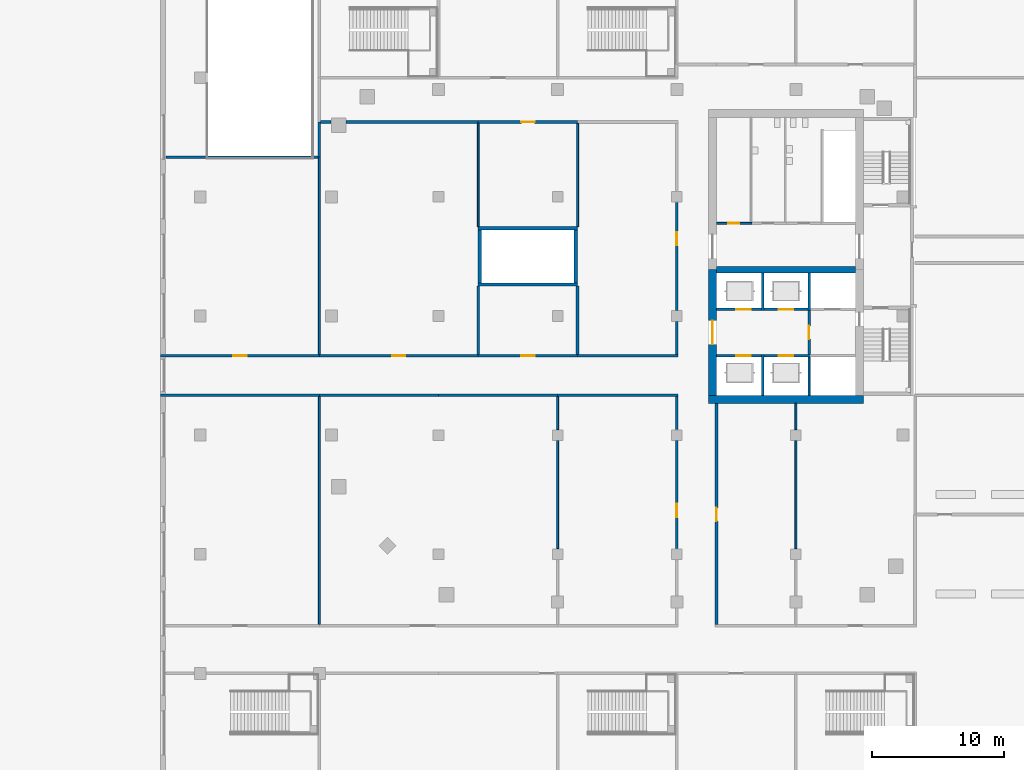
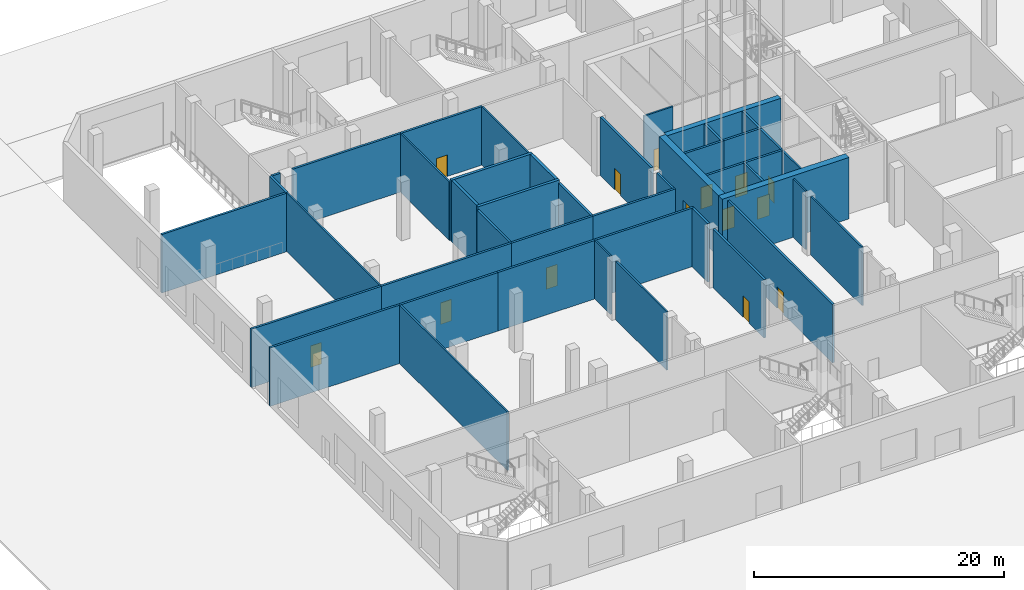
# One storey, part 34 of 55: 45 walls, 14 doors, 14 openings.
"""IFC4 building model written with IfcOpenShell, lengths in metres."""

from ifc_helpers import new_model, si_unit, direction, frame, frame_2d, origin, place, context, subcontext, project, spatial, rectangle, extrude, material, layer, layer_set, type_object, element, fill, save


model = new_model("IFC4")

# Units and contexts
model_context = context("Model", 3, precision=1e-05, world=origin(), true_north=direction((0.0, 1.0)))
body_context = subcontext(model_context, "Body", "Model", "MODEL_VIEW")
ifc_project = project(units=[si_unit("LENGTHUNIT", "METRE"), si_unit("AREAUNIT", "SQUARE_METRE"), si_unit("VOLUMEUNIT", "CUBIC_METRE"), si_unit("PLANEANGLEUNIT", "RADIAN"), si_unit("MASSUNIT", "GRAM", prefix="KILO")], contexts=[model_context])

# Site, building, storey
site_placement = place(None, origin())
site = spatial("IfcSite", under=ifc_project, at=site_placement, CompositionType="ELEMENT")
building_placement = place(site_placement, origin())
building = spatial("IfcBuilding", under=site, at=building_placement, Name="Cinnabar Reach Civic Tower", CompositionType="ELEMENT")
storey_placement = place(building_placement, origin())
storey = spatial("IfcBuildingStorey", under=building, at=storey_placement, Name="L00", CompositionType="ELEMENT", Elevation=0.0)

# Walls
ifc_material_1 = material(Name="Concrete C60", Category="concrete")
ifc_layer_1 = layer(ifc_material_1, 0.5)
ifc_layer_set_1 = layer_set([ifc_layer_1], Name="Core wall 500 EI 180")
wall_type_1 = type_object("IfcWallType", Name="Core wall 500 EI 180", PredefinedType="SOLIDWALL", material=ifc_layer_set_1)
wall_1_placement = place(storey_placement, frame((-42.0, 30.5, 0.0), z_axis=(0.0, 0.0, 1.0), x_axis=(1.0, 0.0, 0.0)))
element("IfcWall", 1, at=wall_1_placement, inside=storey, type_object=wall_type_1, Name="Core spine wall T2 L00", PredefinedType="SOLIDWALL", context=body_context, shape_type="SweptSolid", body=[
    extrude(rectangle(XDim=10.5, YDim=0.5, at=frame_2d((5.25, 0.0))), origin(), (0.0, 0.0, 1.0), 6.0),
])
ifc_material_2 = material(Name="Concrete C70", Category="concrete")
ifc_layer_2 = layer(ifc_material_2, 0.6)
ifc_layer_set_2 = layer_set([ifc_layer_2], Name="Core wall 600 EI 180")
wall_type_2 = type_object("IfcWallType", Name="Core wall 600 EI 180", PredefinedType="SOLIDWALL", material=ifc_layer_set_2)
wall_2_placement = place(storey_placement, frame((-42.6, 20.7, 0.0), z_axis=(0.0, 0.0, 1.0), x_axis=(1.0, 0.0, 0.0)))
element("IfcWall", 2, at=wall_2_placement, inside=storey, type_object=wall_type_2, Name="Core wall T2 L00 S", PredefinedType="SOLIDWALL", context=body_context, shape_type="SweptSolid", body=[
    extrude(rectangle(XDim=11.7, YDim=0.6, at=frame_2d((5.85, 0.0))), origin(), (0.0, 0.0, 1.0), 6.0),
])

# Wall, opening, door
wall_3_placement = place(storey_placement, frame((-42.3, 30.5, 0.0), z_axis=(0.0, 0.0, 1.0), x_axis=(0.0, -1.0, 0.0)))
wall_3 = element("IfcWall", 3, at=wall_3_placement, inside=storey, type_object=wall_type_2, Name="Core wall T2 L00 W2", PredefinedType="SOLIDWALL", context=body_context, shape_type="SweptSolid", body=[
    extrude(rectangle(XDim=9.5, YDim=0.6, at=frame_2d((4.75, 0.0))), origin(), (0.0, 0.0, 1.0), 6.0),
])
opening_1_placement = place(wall_3_placement, frame((3.85, 0.0, 0.0)))
opening_1 = element("IfcOpeningElement", 4, at=opening_1_placement, cuts=wall_3, Name="Opening D6028", PredefinedType="OPENING", context=body_context, shape_type="SweptSolid", body=[
    extrude(rectangle(XDim=1.8, YDim=2.1, at=frame_2d((0.9, 1.05))), frame((0.0, 0.31, 0.0), z_axis=(0.0, -1.0, 0.0), x_axis=(1.0, 0.0, 0.0)), (0.0, 0.0, 1.0), 0.62),
])
ifc_material_3 = material(Name="Steel fire door", Category="steel")
door_type_1 = type_object("IfcDoorType", Name="T2 Double door 1800", OperationType="DOUBLE_DOOR_SINGLE_SWING", PredefinedType="DOOR", material=ifc_material_3)
door_1_placement = place(opening_1_placement, origin())
door_1 = element("IfcDoor", 5, at=door_1_placement, inside=storey, type_object=door_type_1, Name="T2 Double door D6028", OperationType="DOUBLE_DOOR_SINGLE_SWING", OverallHeight=2.1, OverallWidth=1.8, PredefinedType="DOOR", context=body_context, shape_type="SweptSolid", body=[
    extrude(rectangle(XDim=1.8, YDim=2.1, at=frame_2d((0.9, 1.05))), frame((0.0, 0.025, 0.0), z_axis=(0.0, -1.0, 0.0), x_axis=(1.0, 0.0, 0.0)), (0.0, 0.0, 1.0), 0.05),
])
fill(opening_1, door_1)

# Walls
ifc_material_4 = material(Name="Concrete blockwork", Category="masonry")
ifc_layer_3 = layer(ifc_material_4, 0.2)
ifc_layer_set_3 = layer_set([ifc_layer_3], Name="Podium masonry corridor wall 200 EI 120")
wall_type_3 = type_object("IfcWallType", Name="Podium masonry corridor wall 200 EI 120", PredefinedType="PARTITIONING", material=ifc_layer_set_3)
wall_4_placement = place(storey_placement, frame((-83.6, 39.0, 0.0), z_axis=(0.0, 0.0, 1.0), x_axis=(1.0, 0.0, 0.0)))
element("IfcWall", 6, at=wall_4_placement, inside=storey, type_object=wall_type_3, Name="Wall L00 48", PredefinedType="PARTITIONING", context=body_context, shape_type="SweptSolid", body=[
    extrude(rectangle(XDim=11.5, YDim=0.2, at=frame_2d((5.75, 0.0))), origin(), (0.0, 0.0, 1.0), 5.7),
])
wall_5_placement = place(storey_placement, frame((-72.0, 39.0, 0.0), z_axis=(0.0, 0.0, 1.0), x_axis=(0.0, 1.0, 0.0)))
element("IfcWall", 7, at=wall_5_placement, inside=storey, type_object=wall_type_3, Name="Wall L00 49", PredefinedType="PARTITIONING", context=body_context, shape_type="SweptSolid", body=[
    extrude(rectangle(XDim=2.65, YDim=0.2, at=frame_2d((1.325, 0.0))), origin(), (0.0, 0.0, 1.0), 5.7),
])

# Wall, opening, door
wall_6_placement = place(storey_placement, frame((-45.0, 9.42, 0.0), z_axis=(0.0, 0.0, 1.0), x_axis=(0.0, 1.0, 0.0)))
wall_6 = element("IfcWall", 8, at=wall_6_placement, inside=storey, type_object=wall_type_3, Name="Wall L00 103", PredefinedType="PARTITIONING", context=body_context, shape_type="SweptSolid", body=[
    extrude(rectangle(XDim=8.16, YDim=0.2, at=frame_2d((4.08, 0.0))), origin(), (0.0, 0.0, 1.0), 5.7),
])
opening_2_placement = place(wall_6_placement, frame((2.38, 0.0, 0.0)))
opening_2 = element("IfcOpeningElement", 9, at=opening_2_placement, cuts=wall_6, Name="Opening D1014", PredefinedType="OPENING", context=body_context, shape_type="SweptSolid", body=[
    extrude(rectangle(XDim=1.0, YDim=2.1, at=frame_2d((0.5, 1.05))), frame((0.0, 0.11, 0.0), z_axis=(0.0, -1.0, 0.0), x_axis=(1.0, 0.0, 0.0)), (0.0, 0.0, 1.0), 0.22),
])
ifc_material_5 = material(Name="Painted steel door leaf", Category="steel")
door_type_2 = type_object("IfcDoorType", Name="Podium single door 1000x2100", OperationType="SINGLE_SWING_LEFT", PredefinedType="DOOR", material=ifc_material_5)
door_2_placement = place(opening_2_placement, origin())
door_2 = element("IfcDoor", 10, at=door_2_placement, inside=storey, type_object=door_type_2, Name="Door D1014", OperationType="SINGLE_SWING_LEFT", OverallHeight=2.1, OverallWidth=1.0, PredefinedType="DOOR", context=body_context, shape_type="SweptSolid", body=[
    extrude(rectangle(XDim=1.0, YDim=2.1, at=frame_2d((0.5, 1.05))), frame((0.0, 0.025, 0.0), z_axis=(0.0, -1.0, 0.0), x_axis=(1.0, 0.0, 0.0)), (0.0, 0.0, 1.0), 0.05),
])
fill(opening_2, door_2)

# Wall
wall_7_placement = place(storey_placement, frame((-45.0, 18.42, 0.0), z_axis=(0.0, 0.0, 1.0), x_axis=(0.0, 1.0, 0.0)))
element("IfcWall", 11, at=wall_7_placement, inside=storey, type_object=wall_type_3, Name="Wall L00 104", PredefinedType="PARTITIONING", context=body_context, shape_type="SweptSolid", body=[
    extrude(rectangle(XDim=2.48, YDim=0.2, at=frame_2d((1.24, 0.0))), origin(), (0.0, 0.0, 1.0), 5.7),
])

# Wall, opening, door
wall_8_placement = place(storey_placement, frame((-42.0, 3.7, 0.0), z_axis=(0.0, 0.0, 1.0), x_axis=(0.0, 1.0, 0.0)))
wall_8 = element("IfcWall", 12, at=wall_8_placement, inside=storey, type_object=wall_type_3, Name="Wall L00 105", PredefinedType="PARTITIONING", context=body_context, shape_type="SweptSolid", body=[
    extrude(rectangle(XDim=16.7, YDim=0.2, at=frame_2d((8.35, 0.0))), origin(), (0.0, 0.0, 1.0), 5.7),
])
opening_3_placement = place(wall_8_placement, frame((7.8, 0.0, 0.0)))
opening_3 = element("IfcOpeningElement", 13, at=opening_3_placement, cuts=wall_8, Name="Opening D1015", PredefinedType="OPENING", context=body_context, shape_type="SweptSolid", body=[
    extrude(rectangle(XDim=1.0, YDim=2.1, at=frame_2d((0.5, 1.05))), frame((0.0, 0.11, 0.0), z_axis=(0.0, -1.0, 0.0), x_axis=(1.0, 0.0, 0.0)), (0.0, 0.0, 1.0), 0.22),
])
door_3_placement = place(opening_3_placement, frame((1.0, 0.0, 0.0), z_axis=(0.0, 0.0, 1.0), x_axis=(-1.0, 0.0, 0.0)))
door_3 = element("IfcDoor", 14, at=door_3_placement, inside=storey, type_object=door_type_2, Name="Door D1015", OperationType="SINGLE_SWING_LEFT", OverallHeight=2.1, OverallWidth=1.0, PredefinedType="DOOR", context=body_context, shape_type="SweptSolid", body=[
    extrude(rectangle(XDim=1.0, YDim=2.1, at=frame_2d((0.5, 1.05))), frame((0.0, 0.025, 0.0), z_axis=(0.0, -1.0, 0.0), x_axis=(1.0, 0.0, 0.0)), (0.0, 0.0, 1.0), 0.05),
])
fill(opening_3, door_3)

# Wall
wall_9_placement = place(storey_placement, frame((-45.0, 24.1, 0.0), z_axis=(0.0, 0.0, 1.0), x_axis=(0.0, 1.0, 0.0)))
element("IfcWall", 15, at=wall_9_placement, inside=storey, type_object=wall_type_3, Name="Wall L00 106", PredefinedType="PARTITIONING", context=body_context, shape_type="SweptSolid", body=[
    extrude(rectangle(XDim=2.48, YDim=0.2, at=frame_2d((1.24, 0.0))), origin(), (0.0, 0.0, 1.0), 5.7),
])

# Wall, opening, door
wall_10_placement = place(storey_placement, frame((-45.0, 27.42, 0.0), z_axis=(0.0, 0.0, 1.0), x_axis=(0.0, 1.0, 0.0)))
wall_10 = element("IfcWall", 16, at=wall_10_placement, inside=storey, type_object=wall_type_3, Name="Wall L00 107", PredefinedType="PARTITIONING", context=body_context, shape_type="SweptSolid", body=[
    extrude(rectangle(XDim=8.16, YDim=0.2, at=frame_2d((4.08, 0.0))), origin(), (0.0, 0.0, 1.0), 5.7),
])
opening_4_placement = place(wall_10_placement, frame((4.905, 0.0, 0.0)))
opening_4 = element("IfcOpeningElement", 17, at=opening_4_placement, cuts=wall_10, Name="Opening D1030", PredefinedType="OPENING", context=body_context, shape_type="SweptSolid", body=[
    extrude(rectangle(XDim=1.0, YDim=2.1, at=frame_2d((0.5, 1.05))), frame((0.0, 0.11, 0.0), z_axis=(0.0, -1.0, 0.0), x_axis=(1.0, 0.0, 0.0)), (0.0, 0.0, 1.0), 0.22),
])
door_4_placement = place(opening_4_placement, origin())
door_4 = element("IfcDoor", 18, at=door_4_placement, inside=storey, type_object=door_type_2, Name="Door D1030", OperationType="SINGLE_SWING_LEFT", OverallHeight=2.1, OverallWidth=1.0, PredefinedType="DOOR", context=body_context, shape_type="SweptSolid", body=[
    extrude(rectangle(XDim=1.0, YDim=2.1, at=frame_2d((0.5, 1.05))), frame((0.0, 0.025, 0.0), z_axis=(0.0, -1.0, 0.0), x_axis=(1.0, 0.0, 0.0)), (0.0, 0.0, 1.0), 0.05),
])
fill(opening_4, door_4)

# Walls
wall_11_placement = place(storey_placement, frame((-84.0, 21.0, 0.0), z_axis=(0.0, 0.0, 1.0), x_axis=(1.0, 0.0, 0.0)))
element("IfcWall", 19, at=wall_11_placement, inside=storey, type_object=wall_type_3, Name="Wall L00 109", PredefinedType="PARTITIONING", context=body_context, shape_type="SweptSolid", body=[
    extrude(rectangle(XDim=12.0, YDim=0.2, at=frame_2d((6.0, 0.0))), origin(), (0.0, 0.0, 1.0), 5.7),
])
for number, where, z_axis, x_axis, name in (
    (20, (-63.0, 21.0, 0.0), (0.0, 0.0, 1.0), (1.0, 0.0, 0.0), "Wall L00 110"),
    (21, (-72.0, 21.0, 0.0), (0.0, 0.0, 1.0), (1.0, 0.0, 0.0), "Wall L00 111"),
):
    element("IfcWall", number, at=place(storey_placement, frame(where, z_axis=z_axis, x_axis=x_axis)), inside=storey, type_object=wall_type_3, Name=name, PredefinedType="PARTITIONING", context=body_context, shape_type="SweptSolid", body=[
        extrude(rectangle(XDim=9.0, YDim=0.2, at=frame_2d((4.5, 0.0))), origin(), (0.0, 0.0, 1.0), 5.7),
    ])
wall_12_placement = place(storey_placement, frame((-54.0, 21.0, 0.0), z_axis=(0.0, 0.0, 1.0), x_axis=(1.0, 0.0, 0.0)))
element("IfcWall", 22, at=wall_12_placement, inside=storey, type_object=wall_type_3, Name="Wall L00 112", PredefinedType="PARTITIONING", context=body_context, shape_type="SweptSolid", body=[
    extrude(rectangle(XDim=9.1, YDim=0.2, at=frame_2d((4.55, 0.0))), origin(), (0.0, 0.0, 1.0), 5.7),
])

# Wall, opening, door
wall_13_placement = place(storey_placement, frame((-84.0, 24.0, 0.0), z_axis=(0.0, 0.0, 1.0), x_axis=(1.0, 0.0, 0.0)))
wall_13 = element("IfcWall", 23, at=wall_13_placement, inside=storey, type_object=wall_type_3, Name="Wall L00 113", PredefinedType="PARTITIONING", context=body_context, shape_type="SweptSolid", body=[
    extrude(rectangle(XDim=12.0, YDim=0.2, at=frame_2d((6.0, 0.0))), origin(), (0.0, 0.0, 1.0), 5.7),
])
opening_5_placement = place(wall_13_placement, frame((5.5, 0.0, 0.0)))
opening_5 = element("IfcOpeningElement", 24, at=opening_5_placement, cuts=wall_13, Name="Opening D1026", PredefinedType="OPENING", context=body_context, shape_type="SweptSolid", body=[
    extrude(rectangle(XDim=1.0, YDim=2.1, at=frame_2d((0.5, 1.05))), frame((0.0, 0.11, 0.0), z_axis=(0.0, -1.0, 0.0), x_axis=(1.0, 0.0, 0.0)), (0.0, 0.0, 1.0), 0.22),
])
door_5_placement = place(opening_5_placement, origin())
door_5 = element("IfcDoor", 25, at=door_5_placement, inside=storey, type_object=door_type_2, Name="Door D1026", OperationType="SINGLE_SWING_LEFT", OverallHeight=2.1, OverallWidth=1.0, PredefinedType="DOOR", context=body_context, shape_type="SweptSolid", body=[
    extrude(rectangle(XDim=1.0, YDim=2.1, at=frame_2d((0.5, 1.05))), frame((0.0, 0.025, 0.0), z_axis=(0.0, -1.0, 0.0), x_axis=(1.0, 0.0, 0.0)), (0.0, 0.0, 1.0), 0.05),
])
fill(opening_5, door_5)

wall_14_placement = place(storey_placement, frame((-72.0, 24.0, 0.0), z_axis=(0.0, 0.0, 1.0), x_axis=(1.0, 0.0, 0.0)))
wall_14 = element("IfcWall", 26, at=wall_14_placement, inside=storey, type_object=wall_type_3, Name="Wall L00 114", PredefinedType="PARTITIONING", context=body_context, shape_type="SweptSolid", body=[
    extrude(rectangle(XDim=12.0, YDim=0.2, at=frame_2d((6.0, 0.0))), origin(), (0.0, 0.0, 1.0), 5.7),
])
opening_6_placement = place(wall_14_placement, frame((5.5, 0.0, 0.0)))
opening_6 = element("IfcOpeningElement", 27, at=opening_6_placement, cuts=wall_14, Name="Opening D1027", PredefinedType="OPENING", context=body_context, shape_type="SweptSolid", body=[
    extrude(rectangle(XDim=1.0, YDim=2.1, at=frame_2d((0.5, 1.05))), frame((0.0, 0.11, 0.0), z_axis=(0.0, -1.0, 0.0), x_axis=(1.0, 0.0, 0.0)), (0.0, 0.0, 1.0), 0.22),
])
door_6_placement = place(opening_6_placement, origin())
door_6 = element("IfcDoor", 28, at=door_6_placement, inside=storey, type_object=door_type_2, Name="Door D1027", OperationType="SINGLE_SWING_LEFT", OverallHeight=2.1, OverallWidth=1.0, PredefinedType="DOOR", context=body_context, shape_type="SweptSolid", body=[
    extrude(rectangle(XDim=1.0, YDim=2.1, at=frame_2d((0.5, 1.05))), frame((0.0, 0.025, 0.0), z_axis=(0.0, -1.0, 0.0), x_axis=(1.0, 0.0, 0.0)), (0.0, 0.0, 1.0), 0.05),
])
fill(opening_6, door_6)

wall_15_placement = place(storey_placement, frame((-60.0, 24.0, 0.0), z_axis=(0.0, 0.0, 1.0), x_axis=(1.0, 0.0, 0.0)))
wall_15 = element("IfcWall", 29, at=wall_15_placement, inside=storey, type_object=wall_type_3, Name="Wall L00 115", PredefinedType="PARTITIONING", context=body_context, shape_type="SweptSolid", body=[
    extrude(rectangle(XDim=7.5, YDim=0.2, at=frame_2d((3.75, 0.0))), origin(), (0.0, 0.0, 1.0), 5.7),
])
opening_7_placement = place(wall_15_placement, frame((3.25, 0.0, 0.0)))
opening_7 = element("IfcOpeningElement", 30, at=opening_7_placement, cuts=wall_15, Name="Opening D1028", PredefinedType="OPENING", context=body_context, shape_type="SweptSolid", body=[
    extrude(rectangle(XDim=1.0, YDim=2.1, at=frame_2d((0.5, 1.05))), frame((0.0, 0.11, 0.0), z_axis=(0.0, -1.0, 0.0), x_axis=(1.0, 0.0, 0.0)), (0.0, 0.0, 1.0), 0.22),
])
door_7_placement = place(opening_7_placement, origin())
door_7 = element("IfcDoor", 31, at=door_7_placement, inside=storey, type_object=door_type_2, Name="Door D1028", OperationType="SINGLE_SWING_LEFT", OverallHeight=2.1, OverallWidth=1.0, PredefinedType="DOOR", context=body_context, shape_type="SweptSolid", body=[
    extrude(rectangle(XDim=1.0, YDim=2.1, at=frame_2d((0.5, 1.05))), frame((0.0, 0.025, 0.0), z_axis=(0.0, -1.0, 0.0), x_axis=(1.0, 0.0, 0.0)), (0.0, 0.0, 1.0), 0.05),
])
fill(opening_7, door_7)

# Walls
wall_16_placement = place(storey_placement, frame((-52.5, 24.0, 0.0), z_axis=(0.0, 0.0, 1.0), x_axis=(1.0, 0.0, 0.0)))
element("IfcWall", 32, at=wall_16_placement, inside=storey, type_object=wall_type_3, Name="Wall L00 116", PredefinedType="PARTITIONING", context=body_context, shape_type="SweptSolid", body=[
    extrude(rectangle(XDim=7.6, YDim=0.2, at=frame_2d((3.8, 0.0))), origin(), (0.0, 0.0, 1.0), 5.7),
])
wall_17_placement = place(storey_placement, frame((-71.9, 41.65, 0.0), z_axis=(0.0, 0.0, 1.0), x_axis=(1.0, 0.0, 0.0)))
element("IfcWall", 33, at=wall_17_placement, inside=storey, type_object=wall_type_3, Name="Wall L00 117", PredefinedType="PARTITIONING", context=body_context, shape_type="SweptSolid", body=[
    extrude(rectangle(XDim=0.7831, YDim=0.2, at=frame_2d((0.3916, 0.0))), origin(), (0.0, 0.0, 1.0), 5.7),
])
wall_18_placement = place(storey_placement, frame((-69.9769, 41.65, 0.0), z_axis=(0.0, 0.0, 1.0), x_axis=(1.0, 0.0, 0.0)))
element("IfcWall", 34, at=wall_18_placement, inside=storey, type_object=wall_type_3, Name="Wall L00 118", PredefinedType="PARTITIONING", context=body_context, shape_type="SweptSolid", body=[
    extrude(rectangle(XDim=9.9769, YDim=0.2, at=frame_2d((4.9885, 0.0))), origin(), (0.0, 0.0, 1.0), 5.7),
])

# Wall, opening, door
wall_19_placement = place(storey_placement, frame((-60.0, 41.65, 0.0), z_axis=(0.0, 0.0, 1.0), x_axis=(1.0, 0.0, 0.0)))
wall_19 = element("IfcWall", 35, at=wall_19_placement, inside=storey, type_object=wall_type_3, Name="Wall L00 119", PredefinedType="PARTITIONING", context=body_context, shape_type="SweptSolid", body=[
    extrude(rectangle(XDim=7.5, YDim=0.2, at=frame_2d((3.75, 0.0))), origin(), (0.0, 0.0, 1.0), 5.7),
])
opening_8_placement = place(wall_19_placement, frame((3.25, 0.0, 0.0)))
opening_8 = element("IfcOpeningElement", 36, at=opening_8_placement, cuts=wall_19, Name="Opening D1029", PredefinedType="OPENING", context=body_context, shape_type="SweptSolid", body=[
    extrude(rectangle(XDim=1.0, YDim=2.1, at=frame_2d((0.5, 1.05))), frame((0.0, 0.11, 0.0), z_axis=(0.0, -1.0, 0.0), x_axis=(1.0, 0.0, 0.0)), (0.0, 0.0, 1.0), 0.22),
])
door_8_placement = place(opening_8_placement, frame((1.0, 0.0, 0.0), z_axis=(0.0, 0.0, 1.0), x_axis=(-1.0, 0.0, 0.0)))
door_8 = element("IfcDoor", 37, at=door_8_placement, inside=storey, type_object=door_type_2, Name="Door D1029", OperationType="SINGLE_SWING_LEFT", OverallHeight=2.1, OverallWidth=1.0, PredefinedType="DOOR", context=body_context, shape_type="SweptSolid", body=[
    extrude(rectangle(XDim=1.0, YDim=2.1, at=frame_2d((0.5, 1.05))), frame((0.0, 0.025, 0.0), z_axis=(0.0, -1.0, 0.0), x_axis=(1.0, 0.0, 0.0)), (0.0, 0.0, 1.0), 0.05),
])
fill(opening_8, door_8)

# Walls
for number, where, z_axis, x_axis, name in (
    (38, (-60.0, 24.1, 0.0), (0.0, 0.0, 1.0), (0.0, 1.0, 0.0), "Wall L00 184"),
    (39, (-52.5, 24.1, 0.0), (0.0, 0.0, 1.0), (0.0, 1.0, 0.0), "Wall L00 186"),
):
    element("IfcWall", number, at=place(storey_placement, frame(where, z_axis=z_axis, x_axis=x_axis)), inside=storey, type_object=wall_type_3, Name=name, PredefinedType="PARTITIONING", context=body_context, shape_type="SweptSolid", body=[
        extrude(rectangle(XDim=5.15, YDim=0.2, at=frame_2d((2.575, 0.0))), origin(), (0.0, 0.0, 1.0), 5.7),
    ])
ifc_material_6 = material(Name="Gypsum board on steel studs", Category="steel")
ifc_layer_4 = layer(ifc_material_6, 0.15)
ifc_layer_set_4 = layer_set([ifc_layer_4], Name="Podium partition wall 150 EI 90")
wall_type_4 = type_object("IfcWallType", Name="Podium partition wall 150 EI 90", PredefinedType="PARTITIONING", material=ifc_layer_set_4)
wall_20_placement = place(storey_placement, frame((-72.0, 3.7, 0.0), z_axis=(0.0, 0.0, 1.0), x_axis=(0.0, 1.0, 0.0)))
element("IfcWall", 40, at=wall_20_placement, inside=storey, type_object=wall_type_4, Name="Wall L00 155", PredefinedType="PARTITIONING", context=body_context, shape_type="SweptSolid", body=[
    extrude(rectangle(XDim=17.2, YDim=0.15, at=frame_2d((8.6, 0.0))), origin(), (0.0, 0.0, 1.0), 5.7),
])
wall_21_placement = place(storey_placement, frame((-54.0, 9.42, 0.0), z_axis=(0.0, 0.0, 1.0), x_axis=(0.0, 1.0, 0.0)))
element("IfcWall", 41, at=wall_21_placement, inside=storey, type_object=wall_type_4, Name="Wall L00 158", PredefinedType="PARTITIONING", context=body_context, shape_type="SweptSolid", body=[
    extrude(rectangle(XDim=8.16, YDim=0.15, at=frame_2d((4.08, 0.0))), origin(), (0.0, 0.0, 1.0), 5.7),
])
wall_22_placement = place(storey_placement, frame((-54.0, 18.42, 0.0), z_axis=(0.0, 0.0, 1.0), x_axis=(0.0, 1.0, 0.0)))
element("IfcWall", 42, at=wall_22_placement, inside=storey, type_object=wall_type_4, Name="Wall L00 159", PredefinedType="PARTITIONING", context=body_context, shape_type="SweptSolid", body=[
    extrude(rectangle(XDim=2.48, YDim=0.15, at=frame_2d((1.24, 0.0))), origin(), (0.0, 0.0, 1.0), 5.7),
])
wall_23_placement = place(storey_placement, frame((-36.0, 9.42, 0.0), z_axis=(0.0, 0.0, 1.0), x_axis=(0.0, 1.0, 0.0)))
element("IfcWall", 43, at=wall_23_placement, inside=storey, type_object=wall_type_4, Name="Wall L00 162", PredefinedType="PARTITIONING", context=body_context, shape_type="SweptSolid", body=[
    extrude(rectangle(XDim=8.16, YDim=0.15, at=frame_2d((4.08, 0.0))), origin(), (0.0, 0.0, 1.0), 5.7),
])
wall_24_placement = place(storey_placement, frame((-36.0, 18.42, 0.0), z_axis=(0.0, 0.0, 1.0), x_axis=(0.0, 1.0, 0.0)))
element("IfcWall", 44, at=wall_24_placement, inside=storey, type_object=wall_type_4, Name="Wall L00 163", PredefinedType="PARTITIONING", context=body_context, shape_type="SweptSolid", body=[
    extrude(rectangle(XDim=1.98, YDim=0.15, at=frame_2d((0.99, 0.0))), origin(), (0.0, 0.0, 1.0), 5.7),
])
wall_25_placement = place(storey_placement, frame((-72.0, 24.1, 0.0), z_axis=(0.0, 0.0, 1.0), x_axis=(0.0, 1.0, 0.0)))
element("IfcWall", 45, at=wall_25_placement, inside=storey, type_object=wall_type_4, Name="Wall L00 183", PredefinedType="PARTITIONING", context=body_context, shape_type="SweptSolid", body=[
    extrude(rectangle(XDim=14.9, YDim=0.15, at=frame_2d((7.45, 0.0))), origin(), (0.0, 0.0, 1.0), 5.7),
])
for number, where, z_axis, x_axis, name in (
    (46, (-60.0, 33.75, 0.0), (0.0, 0.0, 1.0), (0.0, 1.0, 0.0), "Wall L00 185"),
    (47, (-52.5, 33.75, 0.0), (0.0, 0.0, 1.0), (0.0, 1.0, 0.0), "Wall L00 187"),
):
    element("IfcWall", number, at=place(storey_placement, frame(where, z_axis=z_axis, x_axis=x_axis)), inside=storey, type_object=wall_type_4, Name=name, PredefinedType="PARTITIONING", context=body_context, shape_type="SweptSolid", body=[
        extrude(rectangle(XDim=7.8, YDim=0.15, at=frame_2d((3.9, 0.0))), origin(), (0.0, 0.0, 1.0), 5.7),
    ])
ifc_layer_5 = layer(ifc_material_1, 0.25)
ifc_layer_set_5 = layer_set([ifc_layer_5], Name="Stair shaft wall 250 EI 120")
wall_type_5 = type_object("IfcWallType", Name="Stair shaft wall 250 EI 120", PredefinedType="SOLIDWALL", material=ifc_layer_set_5)
for number, where, z_axis, x_axis, name in (
    (48, (-60.0, 29.375, 0.0), (0.0, 0.0, 1.0), (1.0, 0.0, 0.0), "Stair shaft wall T2-S3 L00"),
    (49, (-52.5, 33.625, 0.0), (0.0, 0.0, 1.0), (-1.0, 0.0, 0.0), "Stair shaft wall T2-S3 L00"),
):
    element("IfcWall", number, at=place(storey_placement, frame(where, z_axis=z_axis, x_axis=x_axis)), inside=storey, type_object=wall_type_5, Name=name, PredefinedType="SOLIDWALL", context=body_context, shape_type="SweptSolid", body=[
        extrude(rectangle(XDim=7.5, YDim=0.25, at=frame_2d((3.75, 0.0))), origin(), (0.0, 0.0, 1.0), 6.0),
    ])
for number, where, z_axis, x_axis, name in (
    (50, (-52.625, 29.5, 0.0), (0.0, 0.0, 1.0), (0.0, 1.0, 0.0), "Stair shaft wall T2-S3 L00"),
    (51, (-59.875, 33.5, 0.0), (0.0, 0.0, 1.0), (0.0, -1.0, 0.0), "Stair shaft wall T2-S3 L00"),
):
    element("IfcWall", number, at=place(storey_placement, frame(where, z_axis=z_axis, x_axis=x_axis)), inside=storey, type_object=wall_type_5, Name=name, PredefinedType="SOLIDWALL", context=body_context, shape_type="SweptSolid", body=[
        extrude(rectangle(XDim=4.0, YDim=0.25, at=frame_2d((2.0, 0.0))), origin(), (0.0, 0.0, 1.0), 6.0),
    ])

# Wall, opening, door
ifc_material_7 = material(Name="Masonry block partition", Category="masonry")
ifc_layer_6 = layer(ifc_material_7, 0.15)
ifc_layer_set_6 = layer_set([ifc_layer_6], Name="T2 Corridor wall 150")
wall_type_6 = type_object("IfcWallType", Name="T2 Corridor wall 150", PredefinedType="PARTITIONING", material=ifc_layer_set_6)
wall_26_placement = place(storey_placement, frame((-39.325, 34.0, 0.0), z_axis=(0.0, 0.0, 1.0), x_axis=(-1.0, 0.0, 0.0)))
wall_26 = element("IfcWall", 52, at=wall_26_placement, inside=storey, type_object=wall_type_6, Name="T2 Corridor wall L00 016", PredefinedType="PARTITIONING", context=body_context, shape_type="SweptSolid", body=[
    extrude(rectangle(XDim=2.675, YDim=0.15, at=frame_2d((1.3375, 0.0))), origin(), (0.0, 0.0, 1.0), 5.7),
])
opening_9_placement = place(wall_26_placement, frame((0.975, 0.0, 0.0)))
opening_9 = element("IfcOpeningElement", 53, at=opening_9_placement, cuts=wall_26, Name="Opening D6030", PredefinedType="OPENING", context=body_context, shape_type="SweptSolid", body=[
    extrude(rectangle(XDim=0.8, YDim=2.1, at=frame_2d((0.4, 1.05))), frame((0.0, 0.085, 0.0), z_axis=(0.0, -1.0, 0.0), x_axis=(1.0, 0.0, 0.0)), (0.0, 0.0, 1.0), 0.17),
])
ifc_material_8 = material(Name="Timber door leaf", Category="wood")
door_type_3 = type_object("IfcDoorType", Name="T2 Bathroom door 800", OperationType="SINGLE_SWING_LEFT", PredefinedType="DOOR", material=ifc_material_8)
door_9_placement = place(opening_9_placement, frame((0.8, 0.0, 0.0), z_axis=(0.0, 0.0, 1.0), x_axis=(-1.0, 0.0, 0.0)))
door_9 = element("IfcDoor", 54, at=door_9_placement, inside=storey, type_object=door_type_3, Name="T2 Bathroom door D6030", OperationType="SINGLE_SWING_RIGHT", OverallHeight=2.1, OverallWidth=0.8, PredefinedType="DOOR", context=body_context, shape_type="SweptSolid", body=[
    extrude(rectangle(XDim=0.8, YDim=2.1, at=frame_2d((0.4, 1.05))), frame((0.0, 0.025, 0.0), z_axis=(0.0, -1.0, 0.0), x_axis=(1.0, 0.0, 0.0)), (0.0, 0.0, 1.0), 0.05),
])
fill(opening_9, door_9)

# Walls
ifc_material_9 = material(Name="Concrete C40", Category="concrete")
ifc_layer_7 = layer(ifc_material_9, 0.15)
ifc_layer_set_7 = layer_set([ifc_layer_7], Name="T2 Riser wall 150")
wall_type_7 = type_object("IfcWallType", Name="T2 Riser wall 150", PredefinedType="SOLIDWALL", material=ifc_layer_set_7)
wall_27_placement = place(storey_placement, frame((-35.0, 21.0, 0.0), z_axis=(0.0, 0.0, 1.0), x_axis=(0.0, 1.0, 0.0)))
element("IfcWall", 55, at=wall_27_placement, inside=storey, type_object=wall_type_7, Name="T2 Riser wall L00 012", PredefinedType="SOLIDWALL", context=body_context, shape_type="SweptSolid", body=[
    extrude(rectangle(XDim=2.9, YDim=0.15, at=frame_2d((1.45, 0.0))), origin(), (0.0, 0.0, 1.0), 6.0),
])
ifc_layer_8 = layer(ifc_material_9, 0.2)
ifc_layer_set_8 = layer_set([ifc_layer_8], Name="T2 Shaft wall 200")
wall_type_8 = type_object("IfcWallType", Name="T2 Shaft wall 200", PredefinedType="SOLIDWALL", material=ifc_layer_set_8)
wall_28_placement = place(storey_placement, frame((-38.5, 21.0, 0.0), z_axis=(0.0, 0.0, 1.0), x_axis=(0.0, 1.0, 0.0)))
element("IfcWall", 56, at=wall_28_placement, inside=storey, type_object=wall_type_8, Name="T2 Shaft wall L00 001", PredefinedType="SOLIDWALL", context=body_context, shape_type="SweptSolid", body=[
    extrude(rectangle(XDim=3.1, YDim=0.2, at=frame_2d((1.55, 0.0))), origin(), (0.0, 0.0, 1.0), 6.0),
])

# Wall, opening, door
wall_29_placement = place(storey_placement, frame((-38.6, 24.0, 0.0), z_axis=(0.0, 0.0, 1.0), x_axis=(-1.0, 0.0, 0.0)))
wall_29 = element("IfcWall", 57, at=wall_29_placement, inside=storey, type_object=wall_type_8, Name="T2 Shaft wall L00 002", PredefinedType="SOLIDWALL", context=body_context, shape_type="SweptSolid", body=[
    extrude(rectangle(XDim=3.4, YDim=0.2, at=frame_2d((1.7, 0.0))), origin(), (0.0, 0.0, 1.0), 6.0),
])
opening_10_placement = place(wall_29_placement, frame((0.8, 0.0, 0.0)))
opening_10 = element("IfcOpeningElement", 58, at=opening_10_placement, cuts=wall_29, Name="Opening D6018", PredefinedType="OPENING", context=body_context, shape_type="SweptSolid", body=[
    extrude(rectangle(XDim=1.1, YDim=2.1, at=frame_2d((0.55, 1.05))), frame((0.0, 0.11, 0.0), z_axis=(0.0, -1.0, 0.0), x_axis=(1.0, 0.0, 0.0)), (0.0, 0.0, 1.0), 0.22),
])
door_type_4 = type_object("IfcDoorType", Name="T2 Lift landing door 1100", OperationType="SLIDING_TO_LEFT", PredefinedType="DOOR", material=ifc_material_3)
door_10_placement = place(opening_10_placement, origin())
door_10 = element("IfcDoor", 59, at=door_10_placement, inside=storey, type_object=door_type_4, Name="T2 Lift landing door D6018", OperationType="SLIDING_TO_LEFT", OverallHeight=2.1, OverallWidth=1.1, PredefinedType="DOOR", context=body_context, shape_type="SweptSolid", body=[
    extrude(rectangle(XDim=1.1, YDim=2.1, at=frame_2d((0.55, 1.05))), frame((0.0, 0.025, 0.0), z_axis=(0.0, -1.0, 0.0), x_axis=(1.0, 0.0, 0.0)), (0.0, 0.0, 1.0), 0.05),
])
fill(opening_10, door_10)

wall_30_placement = place(storey_placement, frame((-34.9, 24.0, 0.0), z_axis=(0.0, 0.0, 1.0), x_axis=(-1.0, 0.0, 0.0)))
wall_30 = element("IfcWall", 60, at=wall_30_placement, inside=storey, type_object=wall_type_8, Name="T2 Shaft wall L00 003", PredefinedType="SOLIDWALL", context=body_context, shape_type="SweptSolid", body=[
    extrude(rectangle(XDim=3.5, YDim=0.2, at=frame_2d((1.75, 0.0))), origin(), (0.0, 0.0, 1.0), 6.0),
])
opening_11_placement = place(wall_30_placement, frame((1.3, 0.0, 0.0)))
opening_11 = element("IfcOpeningElement", 61, at=opening_11_placement, cuts=wall_30, Name="Opening D6019", PredefinedType="OPENING", context=body_context, shape_type="SweptSolid", body=[
    extrude(rectangle(XDim=1.1, YDim=2.1, at=frame_2d((0.55, 1.05))), frame((0.0, 0.11, 0.0), z_axis=(0.0, -1.0, 0.0), x_axis=(1.0, 0.0, 0.0)), (0.0, 0.0, 1.0), 0.22),
])
door_11_placement = place(opening_11_placement, origin())
door_11 = element("IfcDoor", 62, at=door_11_placement, inside=storey, type_object=door_type_4, Name="T2 Lift landing door D6019", OperationType="SLIDING_TO_LEFT", OverallHeight=2.1, OverallWidth=1.1, PredefinedType="DOOR", context=body_context, shape_type="SweptSolid", body=[
    extrude(rectangle(XDim=1.1, YDim=2.1, at=frame_2d((0.55, 1.05))), frame((0.0, 0.025, 0.0), z_axis=(0.0, -1.0, 0.0), x_axis=(1.0, 0.0, 0.0)), (0.0, 0.0, 1.0), 0.05),
])
fill(opening_11, door_11)

# Wall
wall_31_placement = place(storey_placement, frame((-38.5, 27.4, 0.0), z_axis=(0.0, 0.0, 1.0), x_axis=(0.0, 1.0, 0.0)))
element("IfcWall", 63, at=wall_31_placement, inside=storey, type_object=wall_type_8, Name="T2 Shaft wall L00 004", PredefinedType="SOLIDWALL", context=body_context, shape_type="SweptSolid", body=[
    extrude(rectangle(XDim=2.85, YDim=0.2, at=frame_2d((1.425, 0.0))), origin(), (0.0, 0.0, 1.0), 6.0),
])

# Wall, opening, door
wall_32_placement = place(storey_placement, frame((-42.0, 27.5, 0.0), z_axis=(0.0, 0.0, 1.0), x_axis=(1.0, 0.0, 0.0)))
wall_32 = element("IfcWall", 64, at=wall_32_placement, inside=storey, type_object=wall_type_8, Name="T2 Shaft wall L00 005", PredefinedType="SOLIDWALL", context=body_context, shape_type="SweptSolid", body=[
    extrude(rectangle(XDim=3.4, YDim=0.2, at=frame_2d((1.7, 0.0))), origin(), (0.0, 0.0, 1.0), 6.0),
])
opening_12_placement = place(wall_32_placement, frame((1.5, 0.0, 0.0)))
opening_12 = element("IfcOpeningElement", 65, at=opening_12_placement, cuts=wall_32, Name="Opening D6020", PredefinedType="OPENING", context=body_context, shape_type="SweptSolid", body=[
    extrude(rectangle(XDim=1.1, YDim=2.1, at=frame_2d((0.55, 1.05))), frame((0.0, 0.11, 0.0), z_axis=(0.0, -1.0, 0.0), x_axis=(1.0, 0.0, 0.0)), (0.0, 0.0, 1.0), 0.22),
])
door_12_placement = place(opening_12_placement, origin())
door_12 = element("IfcDoor", 66, at=door_12_placement, inside=storey, type_object=door_type_4, Name="T2 Lift landing door D6020", OperationType="SLIDING_TO_LEFT", OverallHeight=2.1, OverallWidth=1.1, PredefinedType="DOOR", context=body_context, shape_type="SweptSolid", body=[
    extrude(rectangle(XDim=1.1, YDim=2.1, at=frame_2d((0.55, 1.05))), frame((0.0, 0.025, 0.0), z_axis=(0.0, -1.0, 0.0), x_axis=(1.0, 0.0, 0.0)), (0.0, 0.0, 1.0), 0.05),
])
fill(opening_12, door_12)

# Wall
wall_33_placement = place(storey_placement, frame((-35.0, 27.4, 0.0), z_axis=(0.0, 0.0, 1.0), x_axis=(0.0, 1.0, 0.0)))
element("IfcWall", 67, at=wall_33_placement, inside=storey, type_object=wall_type_8, Name="T2 Shaft wall L00 006", PredefinedType="SOLIDWALL", context=body_context, shape_type="SweptSolid", body=[
    extrude(rectangle(XDim=2.85, YDim=0.2, at=frame_2d((1.425, 0.0))), origin(), (0.0, 0.0, 1.0), 6.0),
])

# Wall, opening, door
wall_34_placement = place(storey_placement, frame((-38.4, 27.5, 0.0), z_axis=(0.0, 0.0, 1.0), x_axis=(1.0, 0.0, 0.0)))
wall_34 = element("IfcWall", 68, at=wall_34_placement, inside=storey, type_object=wall_type_8, Name="T2 Shaft wall L00 007", PredefinedType="SOLIDWALL", context=body_context, shape_type="SweptSolid", body=[
    extrude(rectangle(XDim=3.3, YDim=0.2, at=frame_2d((1.65, 0.0))), origin(), (0.0, 0.0, 1.0), 6.0),
])
opening_13_placement = place(wall_34_placement, frame((1.1, 0.0, 0.0)))
opening_13 = element("IfcOpeningElement", 69, at=opening_13_placement, cuts=wall_34, Name="Opening D6021", PredefinedType="OPENING", context=body_context, shape_type="SweptSolid", body=[
    extrude(rectangle(XDim=1.1, YDim=2.1, at=frame_2d((0.55, 1.05))), frame((0.0, 0.11, 0.0), z_axis=(0.0, -1.0, 0.0), x_axis=(1.0, 0.0, 0.0)), (0.0, 0.0, 1.0), 0.22),
])
door_13_placement = place(opening_13_placement, origin())
door_13 = element("IfcDoor", 70, at=door_13_placement, inside=storey, type_object=door_type_4, Name="T2 Lift landing door D6021", OperationType="SLIDING_TO_LEFT", OverallHeight=2.1, OverallWidth=1.1, PredefinedType="DOOR", context=body_context, shape_type="SweptSolid", body=[
    extrude(rectangle(XDim=1.1, YDim=2.1, at=frame_2d((0.55, 1.05))), frame((0.0, 0.025, 0.0), z_axis=(0.0, -1.0, 0.0), x_axis=(1.0, 0.0, 0.0)), (0.0, 0.0, 1.0), 0.05),
])
fill(opening_13, door_13)

wall_35_placement = place(storey_placement, frame((-35.0, 24.1, 0.0), z_axis=(0.0, 0.0, 1.0), x_axis=(0.0, 1.0, 0.0)))
wall_35 = element("IfcWall", 71, at=wall_35_placement, inside=storey, type_object=wall_type_8, Name="T2 Shaft wall L00 009", PredefinedType="SOLIDWALL", context=body_context, shape_type="SweptSolid", body=[
    extrude(rectangle(XDim=3.3, YDim=0.2, at=frame_2d((1.65, 0.0))), origin(), (0.0, 0.0, 1.0), 6.0),
])
opening_14_placement = place(wall_35_placement, frame((1.15, 0.0, 0.0)))
opening_14 = element("IfcOpeningElement", 72, at=opening_14_placement, cuts=wall_35, Name="Opening D6023", PredefinedType="OPENING", context=body_context, shape_type="SweptSolid", body=[
    extrude(rectangle(XDim=1.0, YDim=2.1, at=frame_2d((0.5, 1.05))), frame((0.0, 0.11, 0.0), z_axis=(0.0, -1.0, 0.0), x_axis=(1.0, 0.0, 0.0)), (0.0, 0.0, 1.0), 0.22),
])
door_type_5 = type_object("IfcDoorType", Name="T2 Firefighting lobby door 1000", OperationType="SINGLE_SWING_LEFT", PredefinedType="DOOR", material=ifc_material_3)
door_14_placement = place(opening_14_placement, origin())
door_14 = element("IfcDoor", 73, at=door_14_placement, inside=storey, type_object=door_type_5, Name="T2 Firefighting lobby door D6023", OperationType="SINGLE_SWING_RIGHT", OverallHeight=2.1, OverallWidth=1.0, PredefinedType="DOOR", context=body_context, shape_type="SweptSolid", body=[
    extrude(rectangle(XDim=1.0, YDim=2.1, at=frame_2d((0.5, 1.05))), frame((0.0, 0.025, 0.0), z_axis=(0.0, -1.0, 0.0), x_axis=(1.0, 0.0, 0.0)), (0.0, 0.0, 1.0), 0.05),
])
fill(opening_14, door_14)

save(model, "model.ifc")
